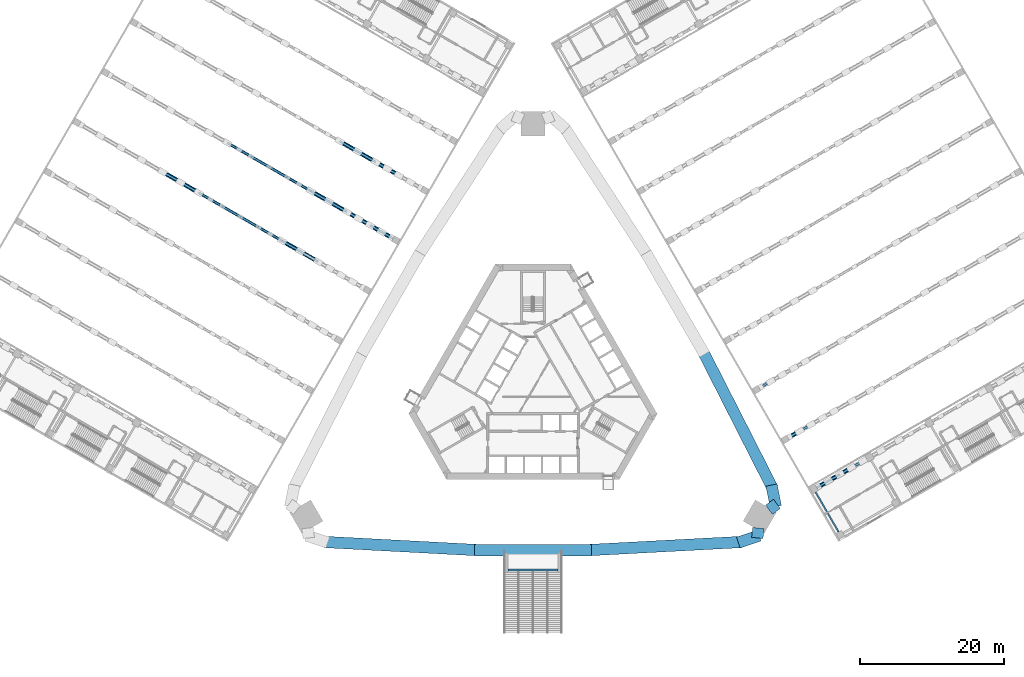
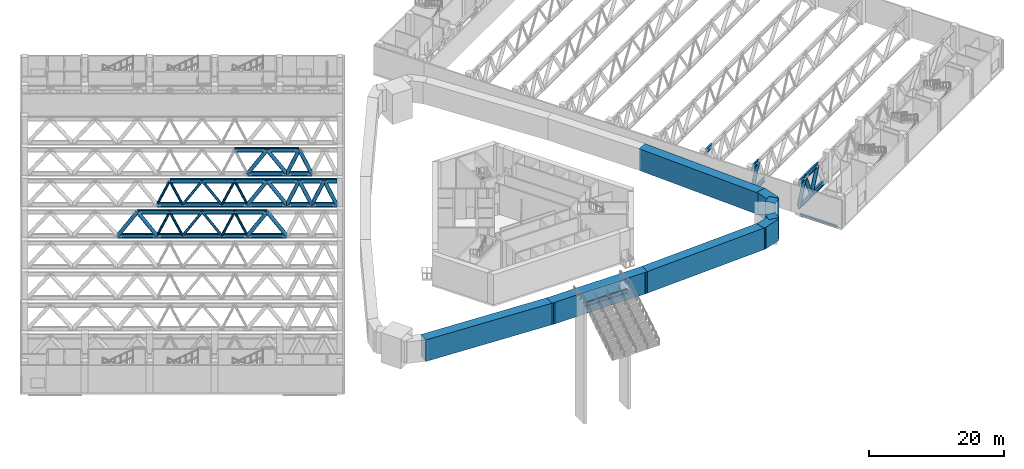
# One storey, part 4 of 37: 62 members, 10 beams.
"""IFC4 building model written with IfcOpenShell, lengths in metres."""

import ifcopenshell
import ifcopenshell.guid

model = None  # the IFC model being written
_history = None  # IfcOwnerHistory: only IFC2X3 demands one
_inside = {}  # id of a spatial element -> (the spatial element, [elements in it])
_under = {}  # id of a project, library or spatial element -> (it, [spatial elements below it])
_declared = {}  # id of a project -> (the project, [libraries it declares])
_typed = {}  # id of a type object -> (the type object, [elements of that type])
_made_of = {}  # id of a material, layer set ... -> (it, [elements and type objects made of it])


def new_model(schema):
    """Start an empty IFC model of exactly this schema.

    Asked for "IFC4X3", IfcOpenShell would pick the latest addendum, in which some entities
    have other attributes; the version numbers below select the first issue.
    IFC2X3 requires an IfcOwnerHistory on every rooted entity: one is made here for all.
    """
    global model, _history
    if schema == "IFC4X3":
        model = ifcopenshell.file(schema_version=(4, 3, 0, 0))
    else:
        model = ifcopenshell.file(schema=schema)
    _inside.clear()
    _under.clear()
    _declared.clear()
    _typed.clear()
    _made_of.clear()
    _history = None
    if model.schema == "IFC2X3":
        org = make("IfcOrganization", Name="unknown")
        user = make(
            "IfcPersonAndOrganization",
            ThePerson=make("IfcPerson", FamilyName="unknown"),
            TheOrganization=org,
        )
        app = make(
            "IfcApplication",
            ApplicationDeveloper=org,
            Version="unknown",
            ApplicationFullName="unknown",
            ApplicationIdentifier="unknown",
        )
        _history = make(
            "IfcOwnerHistory",
            OwningUser=user,
            OwningApplication=app,
            ChangeAction="ADDED",
            CreationDate=0,
        )
    return model


def make(cls, **values):
    """One entity of the class cls with the attributes given. An attribute that is None is left unset."""
    return model.create_entity(
        cls, **{name: value for name, value in values.items() if value is not None}
    )


def rooted(cls, **values):
    """An entity with a GlobalId (a new one), such as an element, a storey or a relation."""
    return make(cls, GlobalId=ifcopenshell.guid.new(), OwnerHistory=_history, **values)


def si_unit(unit_type, name, prefix=None):
    """IfcSIUnit, for example si_unit("LENGTHUNIT", "METRE", prefix="MILLI")."""
    return make("IfcSIUnit", UnitType=unit_type, Prefix=prefix, Name=name)


def assignment(units):
    """IfcUnitAssignment: the units of a project."""
    return None if units is None else make("IfcUnitAssignment", Units=units)


def point(xyz):
    """IfcCartesianPoint."""
    return None if xyz is None else make("IfcCartesianPoint", Coordinates=xyz)


def direction(xyz):
    """IfcDirection."""
    return None if xyz is None else make("IfcDirection", DirectionRatios=xyz)


def frame(location, z_axis=None, x_axis=None):
    """IfcAxis2Placement3D, a coordinate frame: its origin and axes. An axis left out is left unset."""
    return make(
        "IfcAxis2Placement3D",
        Location=point(location),
        Axis=direction(z_axis),
        RefDirection=direction(x_axis),
    )


def frame_2d(location, x_axis=None):
    """IfcAxis2Placement2D, a coordinate frame in the plane: its origin and x axis."""
    return make(
        "IfcAxis2Placement2D", Location=point(location), RefDirection=direction(x_axis)
    )


def origin():
    """The frame at (0, 0, 0) with its axes left unset."""
    return frame((0.0, 0.0, 0.0))


def origin_2d():
    """The frame at (0, 0) in the plane with its x axis left unset."""
    return frame_2d((0.0, 0.0))


def place(relative_to, where):
    """IfcLocalPlacement: puts the frame where relative to a parent placement (None: the world)."""
    return make(
        "IfcLocalPlacement", PlacementRelTo=relative_to, RelativePlacement=where
    )


def context(
    kind, dimensions, precision=None, world=None, true_north=None, identifier=None
):
    """IfcGeometricRepresentationContext, for example the 3D "Model" context."""
    return make(
        "IfcGeometricRepresentationContext",
        ContextIdentifier=identifier,
        ContextType=kind,
        CoordinateSpaceDimension=dimensions,
        Precision=precision,
        WorldCoordinateSystem=world,
        TrueNorth=true_north,
    )


def subcontext(parent, identifier, kind, view, scale=None):
    """IfcGeometricRepresentationSubContext, for example "Body" below "Model"."""
    return make(
        "IfcGeometricRepresentationSubContext",
        ContextIdentifier=identifier,
        ContextType=kind,
        ParentContext=parent,
        TargetScale=scale,
        TargetView=view,
    )


def project(units=None, contexts=None):
    """IfcProject with its units and contexts."""
    return rooted(
        "IfcProject",
        Name="project",
        RepresentationContexts=contexts,
        UnitsInContext=assignment(units),
    )


def spatial(cls, under=None, at=None, **own):
    """A site, building, storey or space (cls), placed at a placement, below another one or the project."""
    s = rooted(cls, ObjectPlacement=at, **own)
    if under is not None:
        _under.setdefault(under.id(), (under, []))[1].append(s)
    return s


def profile(cls, at=None, kind="AREA", **sizes):
    """A parametric profile (cls). Its sizes go by their IFC names, for example OverallWidth=200.0."""
    return make(cls, ProfileType=kind, Position=at, **sizes)


def rectangle(**sizes):
    """IfcRectangleProfileDef."""
    return profile("IfcRectangleProfileDef", **sizes)


def hollow_circle(**sizes):
    """IfcCircleHollowProfileDef."""
    return profile("IfcCircleHollowProfileDef", **sizes)


def i_section(**sizes):
    """IfcIShapeProfileDef."""
    return profile("IfcIShapeProfileDef", **sizes)


def extrude(swept, where, along, depth):
    """IfcExtrudedAreaSolid: the profile swept, set in the frame where, extruded along a direction by depth."""
    return make(
        "IfcExtrudedAreaSolid",
        SweptArea=swept,
        Position=where,
        ExtrudedDirection=direction(along),
        Depth=depth,
    )


def shape(context_of_items, identifier, shape_type, items):
    """IfcShapeRepresentation: the items that make up one representation, for example the "Body"."""
    return make(
        "IfcShapeRepresentation",
        ContextOfItems=context_of_items,
        RepresentationIdentifier=identifier,
        RepresentationType=shape_type,
        Items=items,
    )


def material(Name=None, Category=None):
    """IfcMaterial."""
    return make("IfcMaterial", Name=Name, Category=Category)


def material_profile(
    of_material, cross_section, Name=None, Category=None, Priority=None
):
    """IfcMaterialProfile: a cross section and its material."""
    return make(
        "IfcMaterialProfile",
        Name=Name,
        Material=of_material,
        Profile=cross_section,
        Priority=Priority,
        Category=Category,
    )


def profile_set(profiles, Name=None, composite=None):
    """IfcMaterialProfileSet."""
    return make(
        "IfcMaterialProfileSet",
        Name=Name,
        MaterialProfiles=profiles,
        CompositeProfile=composite,
    )


def made_of(thing, what):
    """Note that an element or type object is made of a material, layer set ...; save() writes the relation."""
    if what is not None:
        _made_of.setdefault(what.id(), (what, []))[1].append(thing)
    return thing


def type_object(cls, material=None, **own):
    """A type object (cls), such as IfcWallType, which elements share."""
    return made_of(rooted(cls, **own), material)


def element(
    cls,
    number,
    at=None,
    inside=None,
    cuts=None,
    type_object=None,
    material=None,
    context=None,
    identifier="Body",
    shape_type=None,
    held_by="IfcProductDefinitionShape",
    body=None,
    shapes=None,
    **own,
):
    """One element of the class cls, such as IfcWall. Its Tag is "e" and its number.

    at: its placement. inside: the storey or other place that contains it. cuts: it is an
    opening in that element (IfcRelVoidsElement). A single representation is given by context,
    identifier, shape_type and body (its items); several are given by shapes. held_by: the class
    of the entity that holds the representations. save() writes the other relations.
    """
    e = rooted(cls, Tag="e%d" % number, ObjectPlacement=at, **own)
    if body is not None:
        shapes = [shape(context, identifier, shape_type, body)]
    if shapes is not None:
        e.Representation = make(held_by, Representations=shapes)
    if inside is not None:
        _inside.setdefault(inside.id(), (inside, []))[1].append(e)
    if cuts is not None:
        rooted(
            "IfcRelVoidsElement", RelatingBuildingElement=cuts, RelatedOpeningElement=e
        )
    if type_object is not None:
        _typed.setdefault(type_object.id(), (type_object, []))[1].append(e)
    return made_of(e, material)


def aggregate(whole, parts):
    """IfcRelAggregates: a whole, such as a stair, and the parts it consists of."""
    return rooted("IfcRelAggregates", RelatingObject=whole, RelatedObjects=parts)


def save(model, path):
    """Write the relations noted so far, then the file.

    IfcRelAggregates (storeys below a building ...), IfcRelContainedInSpatialStructure (elements
    in a storey), IfcRelDefinesByType, IfcRelAssociatesMaterial and IfcRelDeclares: one each for
    every whole, place, type object, material and project.
    """
    for whole, parts in _under.values():
        aggregate(whole, parts)
    for where, things in _inside.values():
        rooted(
            "IfcRelContainedInSpatialStructure",
            RelatedElements=things,
            RelatingStructure=where,
        )
    for kind, things in _typed.values():
        rooted("IfcRelDefinesByType", RelatedObjects=things, RelatingType=kind)
    for what, things in _made_of.values():
        rooted("IfcRelAssociatesMaterial", RelatedObjects=things, RelatingMaterial=what)
    for by, libraries in _declared.values():
        rooted("IfcRelDeclares", RelatingContext=by, RelatedDefinitions=libraries)
    model.write(path)


model = new_model("IFC4")

# Units and contexts
model_context = context("Model", 3, precision=1e-05, world=origin(), true_north=direction((0.0, 1.0)))
body_context = subcontext(model_context, "Body", "Model", "MODEL_VIEW")
ifc_project = project(units=[si_unit("LENGTHUNIT", "METRE"), si_unit("AREAUNIT", "SQUARE_METRE"), si_unit("VOLUMEUNIT", "CUBIC_METRE"), si_unit("PLANEANGLEUNIT", "RADIAN"), si_unit("MASSUNIT", "GRAM", prefix="KILO")], contexts=[model_context])

# Site, building, storey
site_placement = place(None, origin())
site = spatial("IfcSite", under=ifc_project, at=site_placement, CompositionType="ELEMENT")
building_placement = place(site_placement, origin())
building = spatial("IfcBuilding", under=site, at=building_placement, Name="Mestral Congress Tower", CompositionType="ELEMENT")
storey_placement = place(building_placement, frame((0.0, 0.0, 16.199951171875)))
storey = spatial("IfcBuildingStorey", under=building, at=storey_placement, Name="L03", CompositionType="ELEMENT", Elevation=16.199951171875)

# Beams
ifc_material_1 = material(Name="Steel S355", Category="steel")
ifc_material_profile_1 = material_profile(ifc_material_1, i_section(OverallWidth=0.300048828125, OverallDepth=0.60009765625, WebThickness=0.015380859375, FlangeThickness=0.030029296875, FilletRadius=0.027099609375, at=origin_2d()), Name="HEB 600")
ifc_profile_set_1 = profile_set([ifc_material_profile_1], Name="Steel S355")
beam_type_1 = type_object("IfcBeamType", Name="Floor beam HEB 600 S355", PredefinedType="BEAM", material=ifc_profile_set_1)
beam_1_placement = place(storey_placement, frame((-3.5, -25.6279296875, 4.800048828125), z_axis=(1.0, 0.0, 0.0), x_axis=(0.0, 1.0, 0.0)))
element("IfcBeam", 1, at=beam_1_placement, inside=storey, type_object=beam_type_1, Name="BM-TERR-0", PredefinedType="BEAM", context=body_context, shape_type="SweptSolid", body=[
    extrude(i_section(OverallWidth=0.300048828125, OverallDepth=0.60009765625, WebThickness=0.015380859375, FlangeThickness=0.030029296875, FilletRadius=0.027099609375, at=origin_2d()), origin(), (0.0, 0.0, 1.0), 7.0),
])
ifc_material_profile_2 = material_profile(ifc_material_1, i_section(OverallWidth=0.199951171875, OverallDepth=0.5, WebThickness=0.01025390625, FlangeThickness=0.01611328125, FilletRadius=0.02099609375, at=origin_2d()), Name="IPE 500")
ifc_profile_set_2 = profile_set([ifc_material_profile_2], Name="Steel S355")
beam_type_2 = type_object("IfcBeamType", Name="Floor beam IPE 500 S355", PredefinedType="BEAM", material=ifc_profile_set_2)
beam_2_placement = place(storey_placement, frame((42.485595703125, -20.3310546875, -0.550048828125), z_axis=(-0.500028443584, 0.866008981251, 0.0), x_axis=(-0.866008981251, -0.500028443584, 0.0)))
element("IfcBeam", 2, at=beam_2_placement, inside=storey, type_object=beam_type_2, Name="BM-L03-E-U01A", PredefinedType="BEAM", context=body_context, shape_type="SweptSolid", body=[
    extrude(i_section(OverallWidth=0.199951171875, OverallDepth=0.5, WebThickness=0.01025390625, FlangeThickness=0.01611328125, FilletRadius=0.02099609375, at=origin_2d()), origin(), (0.0, 0.0, 1.0), 6.400146484375),
])
ifc_material_2 = material(Name="Concrete C70/85", Category="concrete")
ifc_material_profile_3 = material_profile(ifc_material_2, rectangle(XDim=1.60009765625, YDim=3.89990234375, at=origin_2d()), Name="RC 1600x3900")
ifc_profile_set_3 = profile_set([ifc_material_profile_3], Name="Concrete C70/85")
beam_type_3 = type_object("IfcBeamType", Name="Transfer girder RC 1600x3900 C70/85", PredefinedType="BEAM", material=ifc_profile_set_3)
beam_3_placement = place(storey_placement, frame((-29.016357421875, -21.717529296875, 3.449951171875), z_axis=(0.998595709237, -0.052977443246, 0.0), x_axis=(0.052977443246, 0.998595709237, 0.0)))
element("IfcBeam", 3, at=beam_3_placement, inside=storey, type_object=beam_type_3, Name="BM-TG01", PredefinedType="BEAM", context=body_context, shape_type="SweptSolid", body=[
    extrude(rectangle(XDim=1.60009765625, YDim=3.89990234375, at=origin_2d()), origin(), (0.0, 0.0, 1.0), 21.396728515625),
])
beam_4_placement = place(storey_placement, frame((-8.1494140625, -22.837890625, 3.449951171875), z_axis=(1.0, 0.0, 0.0), x_axis=(0.0, 1.0, 0.0)))
element("IfcBeam", 4, at=beam_4_placement, inside=storey, type_object=beam_type_3, Name="BM-TG02", PredefinedType="BEAM", context=body_context, shape_type="SweptSolid", body=[
    extrude(rectangle(XDim=1.60009765625, YDim=3.89990234375, at=origin_2d()), origin(), (0.0, 0.0, 1.0), 16.298828125),
])
beam_5_placement = place(storey_placement, frame((7.649658203125, -22.85107421875, 3.449951171875), z_axis=(0.998595709237, 0.052977443246, 0.0), x_axis=(-0.052977443246, 0.998595709237, 0.0)))
element("IfcBeam", 5, at=beam_5_placement, inside=storey, type_object=beam_type_3, Name="BM-TG03", PredefinedType="BEAM", context=body_context, shape_type="SweptSolid", body=[
    extrude(rectangle(XDim=1.60009765625, YDim=3.89990234375, at=origin_2d()), origin(), (0.0, 0.0, 1.0), 21.396728515625),
])
beam_6_placement = place(storey_placement, frame((33.316162109375, -14.270263671875, 3.449951171875), z_axis=(-0.453414467885, 0.891299792613, 0.0), x_axis=(-0.891299792613, -0.453414467885, 0.0)))
element("IfcBeam", 6, at=beam_6_placement, inside=storey, type_object=beam_type_3, Name="BM-TG04", PredefinedType="BEAM", context=body_context, shape_type="SweptSolid", body=[
    extrude(rectangle(XDim=1.60009765625, YDim=3.89990234375, at=origin_2d()), origin(), (0.0, 0.0, 1.0), 21.39697265625),
])
beam_7_placement = place(storey_placement, frame((28.52978515625, -21.810302734375, 3.449951171875), z_axis=(0.947927022175, 0.318487614563, 0.0), x_axis=(-0.318487614563, 0.947927022175, 0.0)))
element("IfcBeam", 7, at=beam_7_placement, inside=storey, type_object=beam_type_3, Name="BM-TG10", PredefinedType="BEAM", context=body_context, shape_type="SweptSolid", body=[
    extrude(rectangle(XDim=1.60009765625, YDim=3.89990234375, at=origin_2d()), origin(), (0.0, 0.0, 1.0), 3.07763671875),
])
for number, where, z_axis, x_axis, name in (
    (8, (31.181640625, -21.158203125, 3.449951171875), (0.114482631088, 0.99342524992, 0.0), (-0.99342524992, 0.114482631088, 0.0), "BM-TG11"),
    (9, (32.8095703125, -17.244384765625, 3.449951171875), (0.803204875013, 0.595702886308, 0.0), (-0.595702886308, 0.803204875013, 0.0), "BM-TG12"),
):
    element("IfcBeam", number, at=place(storey_placement, frame(where, z_axis=z_axis, x_axis=x_axis)), inside=storey, type_object=beam_type_3, Name=name, PredefinedType="BEAM", context=body_context, shape_type="SweptSolid", body=[
        extrude(rectangle(XDim=1.60009765625, YDim=3.89990234375, at=origin_2d()), origin(), (0.0, 0.0, 1.0), 1.37548828125),
    ])
beam_8_placement = place(storey_placement, frame((33.762939453125, -16.819091796875, 3.449951171875), z_axis=(-0.198083701542, 0.980185108632, 0.0), x_axis=(-0.980185108632, -0.198083701542, 0.0)))
element("IfcBeam", 10, at=beam_8_placement, inside=storey, type_object=beam_type_3, Name="BM-TG13", PredefinedType="BEAM", context=body_context, shape_type="SweptSolid", body=[
    extrude(rectangle(XDim=1.60009765625, YDim=3.89990234375, at=origin_2d()), origin(), (0.0, 0.0, 1.0), 3.07763671875),
])

# Members
ifc_material_profile_4 = material_profile(ifc_material_1, i_section(OverallWidth=0.300048828125, OverallDepth=0.800048828125, WebThickness=0.017578125, FlangeThickness=0.032958984375, FilletRadius=0.030029296875, at=origin_2d()), Name="HEB 800")
ifc_profile_set_4 = profile_set([ifc_material_profile_4], Name="Steel S355")
member_type_1 = type_object("IfcMemberType", Name="Truss chord HEB 800 S355", PredefinedType="CHORD", material=ifc_profile_set_4)
member_1_placement = place(storey_placement, frame((39.4501953125, -14.173828125, 0.400146484375), z_axis=(0.86601746898, 0.500013743233, 0.0), x_axis=(-0.500013743233, 0.86601746898, 0.0)))
element("IfcMember", 11, at=member_1_placement, inside=storey, type_object=member_type_1, Name="MB-E-T1-BC01", PredefinedType="CHORD", context=body_context, shape_type="SweptSolid", body=[
    extrude(i_section(OverallWidth=0.300048828125, OverallDepth=0.800048828125, WebThickness=0.017578125, FlangeThickness=0.032958984375, FilletRadius=0.030029296875, at=origin_2d()), origin(), (0.0, 0.0, 1.0), 3.7001953125),
])
member_2_placement = place(storey_placement, frame((42.654541015625, -12.32373046875, 0.400146484375), z_axis=(0.866046040199, 0.499964254978, 0.0), x_axis=(-0.499964254978, 0.866046040199, 0.0)))
element("IfcMember", 12, at=member_2_placement, inside=storey, type_object=member_type_1, Name="MB-E-T1-BC02", PredefinedType="CHORD", context=body_context, shape_type="SweptSolid", body=[
    extrude(i_section(OverallWidth=0.300048828125, OverallDepth=0.800048828125, WebThickness=0.017578125, FlangeThickness=0.032958984375, FilletRadius=0.030029296875, at=origin_2d()), origin(), (0.0, 0.0, 1.0), 3.699951171875),
])
member_3_placement = place(storey_placement, frame((39.4501953125, -14.173828125, 4.699951171875), z_axis=(0.866033964044, 0.499985172903, 0.0), x_axis=(-0.499985172903, 0.866033964044, 0.0)))
element("IfcMember", 13, at=member_3_placement, inside=storey, type_object=member_type_1, Name="MB-E-T1-TC01", PredefinedType="CHORD", context=body_context, shape_type="SweptSolid", body=[
    extrude(i_section(OverallWidth=0.300048828125, OverallDepth=0.800048828125, WebThickness=0.017578125, FlangeThickness=0.032958984375, FilletRadius=0.030029296875, at=origin_2d()), origin(), (0.0, 0.0, 1.0), 1.85009765625),
])
member_4_placement = place(storey_placement, frame((41.052490234375, -13.248779296875, 4.699951171875), z_axis=(0.866000971088, 0.500042316284, 0.0), x_axis=(-0.500042316284, 0.866000971088, 0.0)))
element("IfcMember", 14, at=member_4_placement, inside=storey, type_object=member_type_1, Name="MB-E-T1-TC02", PredefinedType="CHORD", context=body_context, shape_type="SweptSolid", body=[
    extrude(i_section(OverallWidth=0.300048828125, OverallDepth=0.800048828125, WebThickness=0.017578125, FlangeThickness=0.032958984375, FilletRadius=0.030029296875, at=origin_2d()), origin(), (0.0, 0.0, 1.0), 3.699951171875),
])
member_5_placement = place(storey_placement, frame((35.4501953125, -7.24560546875, 0.400146484375), z_axis=(0.86601746898, 0.500013743233, 0.0), x_axis=(-0.500013743233, 0.86601746898, 0.0)))
element("IfcMember", 15, at=member_5_placement, inside=storey, type_object=member_type_1, Name="MB-E-T2-BC01", PredefinedType="CHORD", context=body_context, shape_type="SweptSolid", body=[
    extrude(i_section(OverallWidth=0.300048828125, OverallDepth=0.800048828125, WebThickness=0.017578125, FlangeThickness=0.032958984375, FilletRadius=0.030029296875, at=origin_2d()), origin(), (0.0, 0.0, 1.0), 3.7001953125),
])
for number, where, z_axis, x_axis, name in (
    (16, (35.4501953125, -7.24560546875, 4.699951171875), (0.866033964044, 0.499985172903, 0.0), (-0.499985172903, 0.866033964044, 0.0), "MB-E-T2-TC01"),
    (17, (31.4501953125, -0.3173828125, 4.699951171875), (0.866033964044, 0.499985172903, 0.0), (-0.499985172903, 0.866033964044, 0.0), "MB-E-T3-TC01"),
):
    element("IfcMember", number, at=place(storey_placement, frame(where, z_axis=z_axis, x_axis=x_axis)), inside=storey, type_object=member_type_1, Name=name, PredefinedType="CHORD", context=body_context, shape_type="SweptSolid", body=[
        extrude(i_section(OverallWidth=0.300048828125, OverallDepth=0.800048828125, WebThickness=0.017578125, FlangeThickness=0.032958984375, FilletRadius=0.030029296875, at=origin_2d()), origin(), (0.0, 0.0, 1.0), 1.85009765625),
    ])
member_6_placement = place(storey_placement, frame((-18.654541015625, 29.245361328125, 0.400146484375), z_axis=(-0.86601746898, 0.500013743233, 0.0), x_axis=(-0.500013743233, -0.86601746898, 0.0)))
element("IfcMember", 18, at=member_6_placement, inside=storey, type_object=member_type_1, Name="MB-W-T3-BC02", PredefinedType="CHORD", context=body_context, shape_type="SweptSolid", body=[
    extrude(i_section(OverallWidth=0.300048828125, OverallDepth=0.800048828125, WebThickness=0.017578125, FlangeThickness=0.032958984375, FilletRadius=0.030029296875, at=origin_2d()), origin(), (0.0, 0.0, 1.0), 3.7001953125),
])
member_7_placement = place(storey_placement, frame((-21.85888671875, 31.095458984375, 0.400146484375), z_axis=(-0.866032775405, 0.499987231761, 0.0), x_axis=(-0.499987231761, -0.866032775405, 0.0)))
element("IfcMember", 19, at=member_7_placement, inside=storey, type_object=member_type_1, Name="MB-W-T3-BC03", PredefinedType="CHORD", context=body_context, shape_type="SweptSolid", body=[
    extrude(i_section(OverallWidth=0.300048828125, OverallDepth=0.800048828125, WebThickness=0.017578125, FlangeThickness=0.032958984375, FilletRadius=0.030029296875, at=origin_2d()), origin(), (0.0, 0.0, 1.0), 5.800048828125),
])
member_8_placement = place(storey_placement, frame((-20.256591796875, 30.17041015625, 4.699951171875), z_axis=(-0.866033238375, 0.499986429846, 0.0), x_axis=(-0.499986429846, -0.866033238375, 0.0)))
element("IfcMember", 20, at=member_8_placement, inside=storey, type_object=member_type_1, Name="MB-W-T3-TC03", PredefinedType="CHORD", context=body_context, shape_type="SweptSolid", body=[
    extrude(i_section(OverallWidth=0.300048828125, OverallDepth=0.800048828125, WebThickness=0.017578125, FlangeThickness=0.032958984375, FilletRadius=0.030029296875, at=origin_2d()), origin(), (0.0, 0.0, 1.0), 4.750244140625),
])
member_9_placement = place(storey_placement, frame((-24.370361328125, 32.54541015625, 4.699951171875), z_axis=(-0.866024647952, 0.500001309137, 0.0), x_axis=(-0.500001309137, -0.866024647952, 0.0)))
element("IfcMember", 21, at=member_9_placement, inside=storey, type_object=member_type_1, Name="MB-W-T3-TC04", PredefinedType="CHORD", context=body_context, shape_type="SweptSolid", body=[
    extrude(i_section(OverallWidth=0.300048828125, OverallDepth=0.800048828125, WebThickness=0.017578125, FlangeThickness=0.032958984375, FilletRadius=0.030029296875, at=origin_2d()), origin(), (0.0, 0.0, 1.0), 4.7998046875),
])
member_10_placement = place(storey_placement, frame((-19.4501953125, 20.46728515625, 0.400146484375), z_axis=(-0.866046040199, 0.499964254978, 0.0), x_axis=(-0.499964254978, -0.866046040199, 0.0)))
element("IfcMember", 22, at=member_10_placement, inside=storey, type_object=member_type_1, Name="MB-W-T4-BC01", PredefinedType="CHORD", context=body_context, shape_type="SweptSolid", body=[
    extrude(i_section(OverallWidth=0.300048828125, OverallDepth=0.800048828125, WebThickness=0.017578125, FlangeThickness=0.032958984375, FilletRadius=0.030029296875, at=origin_2d()), origin(), (0.0, 0.0, 1.0), 3.699951171875),
])
member_11_placement = place(storey_placement, frame((-22.654541015625, 22.317138671875, 0.400146484375), z_axis=(-0.86601746898, 0.500013743233, 0.0), x_axis=(-0.500013743233, -0.86601746898, 0.0)))
element("IfcMember", 23, at=member_11_placement, inside=storey, type_object=member_type_1, Name="MB-W-T4-BC02", PredefinedType="CHORD", context=body_context, shape_type="SweptSolid", body=[
    extrude(i_section(OverallWidth=0.300048828125, OverallDepth=0.800048828125, WebThickness=0.017578125, FlangeThickness=0.032958984375, FilletRadius=0.030029296875, at=origin_2d()), origin(), (0.0, 0.0, 1.0), 3.7001953125),
])
member_12_placement = place(storey_placement, frame((-25.85888671875, 24.167236328125, 0.400146484375), z_axis=(-0.866032775405, 0.499987231761, 0.0), x_axis=(-0.499987231761, -0.866032775405, 0.0)))
element("IfcMember", 24, at=member_12_placement, inside=storey, type_object=member_type_1, Name="MB-W-T4-BC03", PredefinedType="CHORD", context=body_context, shape_type="SweptSolid", body=[
    extrude(i_section(OverallWidth=0.300048828125, OverallDepth=0.800048828125, WebThickness=0.017578125, FlangeThickness=0.032958984375, FilletRadius=0.030029296875, at=origin_2d()), origin(), (0.0, 0.0, 1.0), 5.800048828125),
])
member_13_placement = place(storey_placement, frame((-30.8818359375, 27.067138671875, 0.400146484375), z_axis=(-0.866000483506, 0.500043160704, 0.0), x_axis=(-0.500043160704, -0.866000483506, 0.0)))
element("IfcMember", 25, at=member_13_placement, inside=storey, type_object=member_type_1, Name="MB-W-T4-BC04", PredefinedType="CHORD", context=body_context, shape_type="SweptSolid", body=[
    extrude(i_section(OverallWidth=0.300048828125, OverallDepth=0.800048828125, WebThickness=0.017578125, FlangeThickness=0.032958984375, FilletRadius=0.030029296875, at=origin_2d()), origin(), (0.0, 0.0, 1.0), 3.800048828125),
])
member_14_placement = place(storey_placement, frame((-34.172607421875, 28.96728515625, 0.400146484375), z_axis=(-0.866032775405, 0.499987231761, 0.0), x_axis=(-0.499987231761, -0.866032775405, 0.0)))
element("IfcMember", 26, at=member_14_placement, inside=storey, type_object=member_type_1, Name="MB-W-T4-BC05", PredefinedType="CHORD", context=body_context, shape_type="SweptSolid", body=[
    extrude(i_section(OverallWidth=0.300048828125, OverallDepth=0.800048828125, WebThickness=0.017578125, FlangeThickness=0.032958984375, FilletRadius=0.030029296875, at=origin_2d()), origin(), (0.0, 0.0, 1.0), 5.800048828125),
])
member_15_placement = place(storey_placement, frame((-39.195556640625, 31.8671875, 0.400146484375), z_axis=(-0.866044365799, 0.499967155389, 0.0), x_axis=(-0.499967155389, -0.866044365799, 0.0)))
element("IfcMember", 27, at=member_15_placement, inside=storey, type_object=member_type_1, Name="MB-W-T4-BC06", PredefinedType="CHORD", context=body_context, shape_type="SweptSolid", body=[
    extrude(i_section(OverallWidth=0.300048828125, OverallDepth=0.800048828125, WebThickness=0.017578125, FlangeThickness=0.032958984375, FilletRadius=0.030029296875, at=origin_2d()), origin(), (0.0, 0.0, 1.0), 3.800048828125),
])
member_16_placement = place(storey_placement, frame((-19.4501953125, 20.46728515625, 4.699951171875), z_axis=(-0.866091100096, 0.499886193382, 0.0), x_axis=(-0.499886193382, -0.866091100096, 0.0)))
element("IfcMember", 28, at=member_16_placement, inside=storey, type_object=member_type_1, Name="MB-W-T4-TC01", PredefinedType="CHORD", context=body_context, shape_type="SweptSolid", body=[
    extrude(i_section(OverallWidth=0.300048828125, OverallDepth=0.800048828125, WebThickness=0.017578125, FlangeThickness=0.032958984375, FilletRadius=0.030029296875, at=origin_2d()), origin(), (0.0, 0.0, 1.0), 1.85009765625),
])
member_17_placement = place(storey_placement, frame((-21.052490234375, 21.39208984375, 4.699951171875), z_axis=(-0.866000971088, 0.500042316284, 0.0), x_axis=(-0.500042316284, -0.866000971088, 0.0)))
element("IfcMember", 29, at=member_17_placement, inside=storey, type_object=member_type_1, Name="MB-W-T4-TC02", PredefinedType="CHORD", context=body_context, shape_type="SweptSolid", body=[
    extrude(i_section(OverallWidth=0.300048828125, OverallDepth=0.800048828125, WebThickness=0.017578125, FlangeThickness=0.032958984375, FilletRadius=0.030029296875, at=origin_2d()), origin(), (0.0, 0.0, 1.0), 3.699951171875),
])
member_18_placement = place(storey_placement, frame((-24.256591796875, 23.2421875, 4.699951171875), z_axis=(-0.866033238375, 0.499986429846, 0.0), x_axis=(-0.499986429846, -0.866033238375, 0.0)))
element("IfcMember", 30, at=member_18_placement, inside=storey, type_object=member_type_1, Name="MB-W-T4-TC03", PredefinedType="CHORD", context=body_context, shape_type="SweptSolid", body=[
    extrude(i_section(OverallWidth=0.300048828125, OverallDepth=0.800048828125, WebThickness=0.017578125, FlangeThickness=0.032958984375, FilletRadius=0.030029296875, at=origin_2d()), origin(), (0.0, 0.0, 1.0), 4.750244140625),
])
member_19_placement = place(storey_placement, frame((-28.370361328125, 25.6171875, 4.699951171875), z_axis=(-0.866024647952, 0.500001309137, 0.0), x_axis=(-0.500001309137, -0.866024647952, 0.0)))
element("IfcMember", 31, at=member_19_placement, inside=storey, type_object=member_type_1, Name="MB-W-T4-TC04", PredefinedType="CHORD", context=body_context, shape_type="SweptSolid", body=[
    extrude(i_section(OverallWidth=0.300048828125, OverallDepth=0.800048828125, WebThickness=0.017578125, FlangeThickness=0.032958984375, FilletRadius=0.030029296875, at=origin_2d()), origin(), (0.0, 0.0, 1.0), 4.7998046875),
])
for number, where, z_axis, x_axis, name in (
    (32, (-32.527099609375, 28.01708984375, 4.699951171875), (-0.866015339567, 0.500017431331, 0.0), (-0.500017431331, -0.866015339567, 0.0), "MB-W-T4-TC05"),
    (33, (-36.68408203125, 30.417236328125, 4.699951171875), (-0.866037363387, 0.499979284789, 0.0), (-0.499979284789, -0.866037363387, 0.0), "MB-W-T4-TC06"),
):
    element("IfcMember", number, at=place(storey_placement, frame(where, z_axis=z_axis, x_axis=x_axis)), inside=storey, type_object=member_type_1, Name=name, PredefinedType="CHORD", context=body_context, shape_type="SweptSolid", body=[
        extrude(i_section(OverallWidth=0.300048828125, OverallDepth=0.800048828125, WebThickness=0.017578125, FlangeThickness=0.032958984375, FilletRadius=0.030029296875, at=origin_2d()), origin(), (0.0, 0.0, 1.0), 4.800048828125),
    ])
member_20_placement = place(storey_placement, frame((-29.85888671875, 17.239013671875, 0.400146484375), z_axis=(-0.866032775405, 0.499987231761, 0.0), x_axis=(-0.499987231761, -0.866032775405, 0.0)))
element("IfcMember", 34, at=member_20_placement, inside=storey, type_object=member_type_1, Name="MB-W-T5-BC03", PredefinedType="CHORD", context=body_context, shape_type="SweptSolid", body=[
    extrude(i_section(OverallWidth=0.300048828125, OverallDepth=0.800048828125, WebThickness=0.017578125, FlangeThickness=0.032958984375, FilletRadius=0.030029296875, at=origin_2d()), origin(), (0.0, 0.0, 1.0), 5.800048828125),
])
member_21_placement = place(storey_placement, frame((-34.8818359375, 20.138916015625, 0.400146484375), z_axis=(-0.866000483506, 0.500043160704, 0.0), x_axis=(-0.500043160704, -0.866000483506, 0.0)))
element("IfcMember", 35, at=member_21_placement, inside=storey, type_object=member_type_1, Name="MB-W-T5-BC04", PredefinedType="CHORD", context=body_context, shape_type="SweptSolid", body=[
    extrude(i_section(OverallWidth=0.300048828125, OverallDepth=0.800048828125, WebThickness=0.017578125, FlangeThickness=0.032958984375, FilletRadius=0.030029296875, at=origin_2d()), origin(), (0.0, 0.0, 1.0), 3.800048828125),
])
member_22_placement = place(storey_placement, frame((-38.172607421875, 22.0390625, 0.400146484375), z_axis=(-0.866032775405, 0.499987231761, 0.0), x_axis=(-0.499987231761, -0.866032775405, 0.0)))
element("IfcMember", 36, at=member_22_placement, inside=storey, type_object=member_type_1, Name="MB-W-T5-BC05", PredefinedType="CHORD", context=body_context, shape_type="SweptSolid", body=[
    extrude(i_section(OverallWidth=0.300048828125, OverallDepth=0.800048828125, WebThickness=0.017578125, FlangeThickness=0.032958984375, FilletRadius=0.030029296875, at=origin_2d()), origin(), (0.0, 0.0, 1.0), 5.800048828125),
])
member_23_placement = place(storey_placement, frame((-43.195556640625, 24.93896484375, 0.400146484375), z_axis=(-0.86601654697, 0.500015340139, 0.0), x_axis=(-0.500015340139, -0.86601654697, 0.0)))
element("IfcMember", 37, at=member_23_placement, inside=storey, type_object=member_type_1, Name="MB-W-T5-BC06", PredefinedType="CHORD", context=body_context, shape_type="SweptSolid", body=[
    extrude(i_section(OverallWidth=0.300048828125, OverallDepth=0.800048828125, WebThickness=0.017578125, FlangeThickness=0.032958984375, FilletRadius=0.030029296875, at=origin_2d()), origin(), (0.0, 0.0, 1.0), 3.80029296875),
])
member_24_placement = place(storey_placement, frame((-46.486572265625, 26.839111328125, 0.400146484375), z_axis=(-0.866032775405, 0.499987231761, 0.0), x_axis=(-0.499987231761, -0.866032775405, 0.0)))
element("IfcMember", 38, at=member_24_placement, inside=storey, type_object=member_type_1, Name="MB-W-T5-BC07", PredefinedType="CHORD", context=body_context, shape_type="SweptSolid", body=[
    extrude(i_section(OverallWidth=0.300048828125, OverallDepth=0.800048828125, WebThickness=0.017578125, FlangeThickness=0.032958984375, FilletRadius=0.030029296875, at=origin_2d()), origin(), (0.0, 0.0, 1.0), 5.800048828125),
])
member_25_placement = place(storey_placement, frame((-32.370361328125, 18.68896484375, 4.699951171875), z_axis=(-0.866002622515, 0.50003945624, 0.0), x_axis=(-0.50003945624, -0.866002622515, 0.0)))
element("IfcMember", 39, at=member_25_placement, inside=storey, type_object=member_type_1, Name="MB-W-T5-TC04", PredefinedType="CHORD", context=body_context, shape_type="SweptSolid", body=[
    extrude(i_section(OverallWidth=0.300048828125, OverallDepth=0.800048828125, WebThickness=0.017578125, FlangeThickness=0.032958984375, FilletRadius=0.030029296875, at=origin_2d()), origin(), (0.0, 0.0, 1.0), 4.7998046875),
])
for number, where, z_axis, x_axis, name in (
    (40, (-36.527099609375, 21.089111328125, 4.699951171875), (-0.866037363387, 0.499979284789, 0.0), (-0.499979284789, -0.866037363387, 0.0), "MB-W-T5-TC05"),
    (41, (-40.68408203125, 23.489013671875, 4.699951171875), (-0.866037363387, 0.499979284789, 0.0), (-0.499979284789, -0.866037363387, 0.0), "MB-W-T5-TC06"),
    (42, (-44.841064453125, 25.888916015625, 4.699951171875), (-0.866015339567, 0.500017431331, 0.0), (-0.500017431331, -0.866015339567, 0.0), "MB-W-T5-TC07"),
):
    element("IfcMember", number, at=place(storey_placement, frame(where, z_axis=z_axis, x_axis=x_axis)), inside=storey, type_object=member_type_1, Name=name, PredefinedType="CHORD", context=body_context, shape_type="SweptSolid", body=[
        extrude(i_section(OverallWidth=0.300048828125, OverallDepth=0.800048828125, WebThickness=0.017578125, FlangeThickness=0.032958984375, FilletRadius=0.030029296875, at=origin_2d()), origin(), (0.0, 0.0, 1.0), 4.800048828125),
    ])
ifc_material_profile_5 = material_profile(ifc_material_1, hollow_circle(Radius=0.203125, WallThickness=0.01611328125, at=origin_2d()), Name="CHS 406.4x16")
ifc_profile_set_5 = profile_set([ifc_material_profile_5], Name="Steel S355")
member_type_2 = type_object("IfcMemberType", Name="Truss diagonal CHS 406.4x16 S355", PredefinedType="BRACE", material=ifc_profile_set_5)
for number, where, z_axis, x_axis, name in (
    (43, (-30.8818359375, 27.067138671875, 0.400146484375), (-0.349995738631, 0.20208241861, 0.914694309061), (-0.500022797313, -0.86601224135, 0.0), "MB-W-T4-D07"),
    (44, (-32.527099609375, 28.01708984375, 4.699951171875), (-0.35003763718, 0.202128558443, -0.914668081011), (-0.500063520245, -0.865988727248, 0.0), "MB-W-T4-D08"),
):
    element("IfcMember", number, at=place(storey_placement, frame(where, z_axis=z_axis, x_axis=x_axis)), inside=storey, type_object=member_type_2, Name=name, PredefinedType="BRACE", context=body_context, shape_type="SweptSolid", body=[
        extrude(hollow_circle(Radius=0.203125, WallThickness=0.01611328125, at=origin_2d()), origin(), (0.0, 0.0, 1.0), 4.700927734375),
    ])
for number, where, z_axis, x_axis, name in (
    (45, (-34.172607421875, 28.96728515625, 0.400146484375), (-0.484247420666, 0.279570859467, 0.829062464544), (-0.499987231761, -0.866032775405, 0.0), "MB-W-T4-D09"),
    (46, (-36.68408203125, 30.417236328125, 4.699951171875), (-0.484247420666, 0.279570859467, -0.829062464544), (-0.499987231761, -0.866032775405, 0.0), "MB-W-T4-D10"),
):
    element("IfcMember", number, at=place(storey_placement, frame(where, z_axis=z_axis, x_axis=x_axis)), inside=storey, type_object=member_type_2, Name=name, PredefinedType="BRACE", context=body_context, shape_type="SweptSolid", body=[
        extrude(hollow_circle(Radius=0.203125, WallThickness=0.01611328125, at=origin_2d()), origin(), (0.0, 0.0, 1.0), 5.186279296875),
    ])
for number, where, z_axis, x_axis, name in (
    (47, (-39.195556640625, 31.8671875, 0.400146484375), (-0.350041311257, 0.202078745119, 0.914677681582), (-0.499967155389, -0.866044365799, 0.0), "MB-W-T4-D11"),
    (48, (-40.841064453125, 32.817138671875, 4.699951171875), (-0.350041311257, 0.202078745119, -0.914677681582), (-0.499967155389, -0.866044365799, 0.0), "MB-W-T4-D12"),
    (49, (-34.8818359375, 20.138916015625, 0.400146484375), (-0.349992064898, 0.202132232762, 0.914684707966), (-0.500119165741, -0.865956592479, 0.0), "MB-W-T5-D07"),
    (50, (-36.527099609375, 21.089111328125, 4.699951171875), (-0.350041311257, 0.202078745119, -0.914677681582), (-0.499967155389, -0.866044365799, 0.0), "MB-W-T5-D08"),
):
    element("IfcMember", number, at=place(storey_placement, frame(where, z_axis=z_axis, x_axis=x_axis)), inside=storey, type_object=member_type_2, Name=name, PredefinedType="BRACE", context=body_context, shape_type="SweptSolid", body=[
        extrude(hollow_circle(Radius=0.203125, WallThickness=0.01611328125, at=origin_2d()), origin(), (0.0, 0.0, 1.0), 4.700927734375),
    ])
for number, where, z_axis, x_axis, name in (
    (51, (-38.172607421875, 22.0390625, 0.400146484375), (-0.484247420666, 0.279570859467, 0.829062464544), (-0.499987231761, -0.866032775405, 0.0), "MB-W-T5-D09"),
    (52, (-40.68408203125, 23.489013671875, 4.699951171875), (-0.484247420666, 0.279570859467, -0.829062464544), (-0.499987231761, -0.866032775405, 0.0), "MB-W-T5-D10"),
):
    element("IfcMember", number, at=place(storey_placement, frame(where, z_axis=z_axis, x_axis=x_axis)), inside=storey, type_object=member_type_2, Name=name, PredefinedType="BRACE", context=body_context, shape_type="SweptSolid", body=[
        extrude(hollow_circle(Radius=0.203125, WallThickness=0.01611328125, at=origin_2d()), origin(), (0.0, 0.0, 1.0), 5.186279296875),
    ])
for number, where, z_axis, x_axis, name in (
    (53, (-43.195556640625, 24.93896484375, 0.400146484375), (-0.350041311257, 0.202078745119, 0.914677681582), (-0.499967155389, -0.866044365799, 0.0), "MB-W-T5-D11"),
    (54, (-44.841064453125, 25.888916015625, 4.699951171875), (-0.35003763718, 0.202128558443, -0.914668081011), (-0.500063520245, -0.865988727248, 0.0), "MB-W-T5-D12"),
):
    element("IfcMember", number, at=place(storey_placement, frame(where, z_axis=z_axis, x_axis=x_axis)), inside=storey, type_object=member_type_2, Name=name, PredefinedType="BRACE", context=body_context, shape_type="SweptSolid", body=[
        extrude(hollow_circle(Radius=0.203125, WallThickness=0.01611328125, at=origin_2d()), origin(), (0.0, 0.0, 1.0), 4.700927734375),
    ])
ifc_material_profile_6 = material_profile(ifc_material_1, hollow_circle(Radius=0.304931640625, WallThickness=0.02490234375, at=origin_2d()), Name="CHS 610x25")
ifc_profile_set_6 = profile_set([ifc_material_profile_6], Name="Steel S355")
member_type_3 = type_object("IfcMemberType", Name="Truss diagonal CHS 610x25 S355", PredefinedType="BRACE", material=ifc_profile_set_6)
for number, where, z_axis, x_axis, name in (
    (55, (39.4501953125, -14.173828125, 0.400146484375), (0.342300508531, 0.197619476889, 0.918573298226), (-0.499985172903, 0.866033964044, 0.0), "MB-E-T1-D01"),
    (56, (41.052490234375, -13.248779296875, 4.699951171875), (0.342254462306, 0.197623004828, -0.91858969676), (-0.500042316284, 0.866000971088, 0.0), "MB-E-T1-D02"),
    (57, (42.654541015625, -12.32373046875, 0.400146484375), (0.342254462306, 0.197623004828, 0.91858969676), (-0.500042316284, 0.866000971088, 0.0), "MB-E-T1-D03"),
    (58, (35.4501953125, -7.24560546875, 0.400146484375), (0.342300508531, 0.197619476889, 0.918573298226), (-0.499985172903, 0.866033964044, 0.0), "MB-E-T2-D01"),
    (59, (-18.654541015625, 29.245361328125, 0.400146484375), (-0.342254462306, 0.197623004828, 0.91858969676), (-0.500042316284, -0.866000971088, 0.0), "MB-W-T3-D03"),
    (60, (-20.256591796875, 30.17041015625, 4.699951171875), (-0.342300508531, 0.197619476889, -0.918573298226), (-0.499985172903, -0.866033964044, 0.0), "MB-W-T3-D04"),
):
    element("IfcMember", number, at=place(storey_placement, frame(where, z_axis=z_axis, x_axis=x_axis)), inside=storey, type_object=member_type_3, Name=name, PredefinedType="BRACE", context=body_context, shape_type="SweptSolid", body=[
        extrude(hollow_circle(Radius=0.304931640625, WallThickness=0.02490234375, at=origin_2d()), origin(), (0.0, 0.0, 1.0), 4.680908203125),
    ])
for number, where, z_axis, x_axis, name in (
    (61, (-21.85888671875, 31.095458984375, 0.400146484375), (-0.484247420666, 0.279570859467, 0.829062464544), (-0.499987231761, -0.866032775405, 0.0), "MB-W-T3-D05"),
    (62, (-24.370361328125, 32.54541015625, 4.699951171875), (-0.484247420666, 0.279570859467, -0.829062464544), (-0.499987231761, -0.866032775405, 0.0), "MB-W-T3-D06"),
):
    element("IfcMember", number, at=place(storey_placement, frame(where, z_axis=z_axis, x_axis=x_axis)), inside=storey, type_object=member_type_3, Name=name, PredefinedType="BRACE", context=body_context, shape_type="SweptSolid", body=[
        extrude(hollow_circle(Radius=0.304931640625, WallThickness=0.02490234375, at=origin_2d()), origin(), (0.0, 0.0, 1.0), 5.186279296875),
    ])
for number, where, z_axis, x_axis, name in (
    (63, (-19.4501953125, 20.46728515625, 0.400146484375), (-0.342304036233, 0.197569356887, 0.918582764914), (-0.499886193382, -0.866091100096, 0.0), "MB-W-T4-D01"),
    (64, (-21.052490234375, 21.39208984375, 4.699951171875), (-0.342254462306, 0.197623004828, -0.91858969676), (-0.500042316284, -0.866000971088, 0.0), "MB-W-T4-D02"),
    (65, (-22.654541015625, 22.317138671875, 0.400146484375), (-0.342254462306, 0.197623004828, 0.91858969676), (-0.500042316284, -0.866000971088, 0.0), "MB-W-T4-D03"),
    (66, (-24.256591796875, 23.2421875, 4.699951171875), (-0.342300508531, 0.197619476889, -0.918573298226), (-0.499985172903, -0.866033964044, 0.0), "MB-W-T4-D04"),
):
    element("IfcMember", number, at=place(storey_placement, frame(where, z_axis=z_axis, x_axis=x_axis)), inside=storey, type_object=member_type_3, Name=name, PredefinedType="BRACE", context=body_context, shape_type="SweptSolid", body=[
        extrude(hollow_circle(Radius=0.304931640625, WallThickness=0.02490234375, at=origin_2d()), origin(), (0.0, 0.0, 1.0), 4.680908203125),
    ])
for number, where, z_axis, x_axis, name in (
    (67, (-25.85888671875, 24.167236328125, 0.400146484375), (-0.484247420666, 0.279570859467, 0.829062464544), (-0.499987231761, -0.866032775405, 0.0), "MB-W-T4-D05"),
    (68, (-28.370361328125, 25.6171875, 4.699951171875), (-0.484247420666, 0.279570859467, -0.829062464544), (-0.499987231761, -0.866032775405, 0.0), "MB-W-T4-D06"),
    (69, (-29.85888671875, 17.239013671875, 0.400146484375), (-0.484247420666, 0.279570859467, 0.829062464544), (-0.499987231761, -0.866032775405, 0.0), "MB-W-T5-D05"),
    (70, (-32.370361328125, 18.68896484375, 4.699951171875), (-0.484247420666, 0.279570859467, -0.829062464544), (-0.499987231761, -0.866032775405, 0.0), "MB-W-T5-D06"),
    (71, (-46.486572265625, 26.839111328125, 0.400146484375), (-0.484247420666, 0.279570859467, 0.829062464544), (-0.499987231761, -0.866032775405, 0.0), "MB-W-T5-D13"),
    (72, (-48.998046875, 28.2890625, 4.699951171875), (-0.484247420666, 0.279570859467, -0.829062464544), (-0.499987231761, -0.866032775405, 0.0), "MB-W-T5-D14"),
):
    element("IfcMember", number, at=place(storey_placement, frame(where, z_axis=z_axis, x_axis=x_axis)), inside=storey, type_object=member_type_3, Name=name, PredefinedType="BRACE", context=body_context, shape_type="SweptSolid", body=[
        extrude(hollow_circle(Radius=0.304931640625, WallThickness=0.02490234375, at=origin_2d()), origin(), (0.0, 0.0, 1.0), 5.186279296875),
    ])

save(model, "model.ifc")
